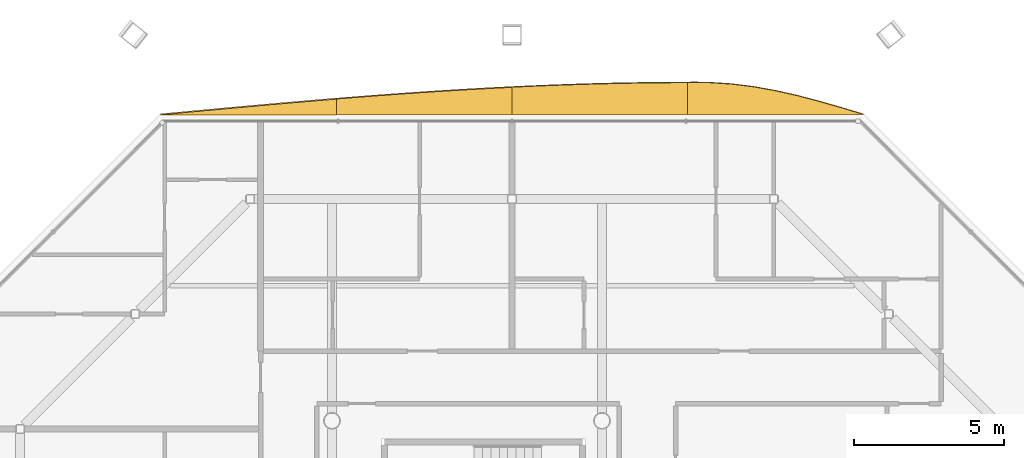
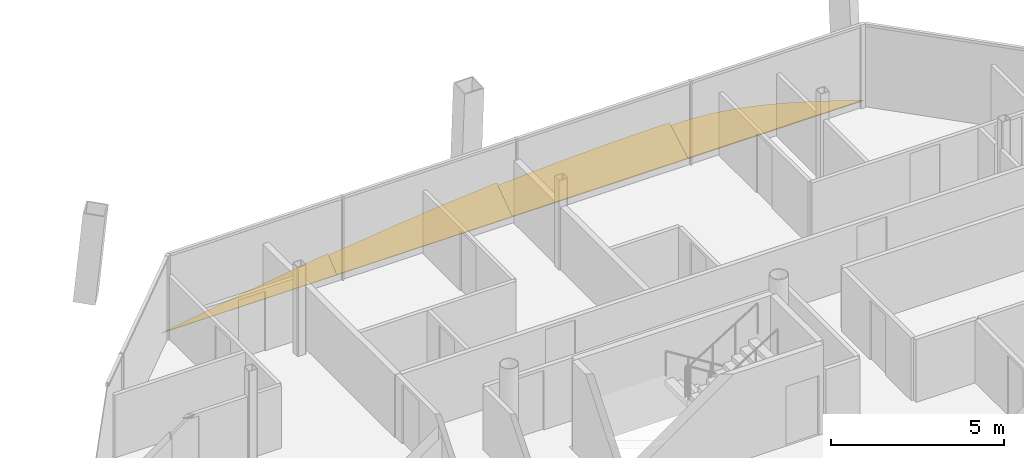
# One storey, part 18 of 18: 4 shading devices.
"""IFC4 building model written with IfcOpenShell, lengths in metres."""

from ifc_helpers import new_model, si_unit, direction, frame, origin, place, context, subcontext, project, spatial, polyline, outline, extrude, material, layer, layer_set, type_object, element, save


model = new_model("IFC4")

# Units and contexts
model_context = context("Model", 3, precision=1e-05, world=origin(), true_north=direction((0.0, 1.0)))
body_context = subcontext(model_context, "Body", "Model", "MODEL_VIEW")
ifc_project = project(units=[si_unit("LENGTHUNIT", "METRE"), si_unit("AREAUNIT", "SQUARE_METRE"), si_unit("VOLUMEUNIT", "CUBIC_METRE"), si_unit("PLANEANGLEUNIT", "RADIAN"), si_unit("MASSUNIT", "GRAM", prefix="KILO")], contexts=[model_context])

# Site, building, storey
site_placement = place(None, origin())
site = spatial("IfcSite", under=ifc_project, at=site_placement, CompositionType="ELEMENT")
building_placement = place(site_placement, origin())
building = spatial("IfcBuilding", under=site, at=building_placement, Name="Tskaro Facet Tower", CompositionType="ELEMENT")
storey_placement = place(building_placement, frame((0.0, 0.0, 220.35009765625)))
storey = spatial("IfcBuildingStorey", under=building, at=storey_placement, Name="L56", CompositionType="ELEMENT", Elevation=220.35009765625)

# Shading devices
ifc_material = material(Name="Bronze anodised aluminium 6063-T6", Category="aluminium")
ifc_layer = layer(ifc_material, 0.06005859375, Name="Bronze anodised aluminium 6063-T6")
ifc_layer_set = layer_set([ifc_layer], Name="Bronze anodised aluminium 6063-T6")
shading_device_type = type_object("IfcShadingDeviceType", Name="Bronze sun blade (FN1)", PredefinedType="USERDEFINED", material=ifc_layer_set)
shading_device_1_placement = place(storey_placement, frame((8.712890625, 19.209716796875, 0.05419921875), z_axis=(-8.614032e-06, -0.42272559541, 0.906257728746), x_axis=(-0.999999999963, 3.641372e-06, -7.806533e-06)))
element("IfcShadingDevice", 1, at=shading_device_1_placement, inside=storey, type_object=shading_device_type, Name="Fin blade north 1", ObjectType="FIN", PredefinedType="USERDEFINED", context=body_context, shape_type="SweptSolid", body=[
    extrude(outline(polyline([(0.0, 0.0), (5.856445312282721, 0.0), (5.856445312657274, -1.1748080606205695), (5.52832031254157, -1.1753537737682707), (5.124267579082849, -1.167492535372139), (4.392333983661828, -1.1145138240066026), (3.660156249467523, -1.013482664951015), (2.92822265672689, -0.8687647633869848), (2.196044921766403, -0.6866874227586115), (1.4641113268406445, -0.47500867697095583), (0.7319335942433782, -0.2426960360617261), (0.0, 0.0)])), origin(), (0.0, 0.0, -1.0), 0.06005859375),
])
shading_device_2_placement = place(storey_placement, frame((2.8564453125, 19.205078125, 0.0517578125), z_axis=(-1.70098e-07, -0.500084322492, 0.865976714697), x_axis=(-1.0, 8.5063e-08, -1.473e-07)))
element("IfcShadingDevice", 2, at=shading_device_2_placement, inside=storey, type_object=shading_device_type, Name="Fin blade north 2", ObjectType="FIN", PredefinedType="USERDEFINED", context=body_context, shape_type="SweptSolid", body=[
    extrude(outline(polyline([(0.0, 0.0), (5.856445312499916, 0.0), (5.856445312516661, -1.0532155492489992), (5.124267578109839, -1.0919473743742123), (4.3923339843913185, -1.1259534780681348), (3.6601562499824505, -1.1553887129315428), (2.928222656261887, -1.18009822636366), (2.1960449218661693, -1.1999033599698548), (1.4641113281379887, -1.2147713520483974), (0.7319335937346542, -1.224734964301018), (1.405143213674352e-11, -1.229427924030578), (0.0, 0.0)])), origin(), (0.0, 0.0, -1.0), 0.06005859375),
])
shading_device_3_placement = place(storey_placement, frame((-3.0, 19.20068359375, 0.049072265625), z_axis=(5.492909e-06, -0.573625800384, 0.819117476986), x_axis=(-0.999999999985, -3.150874e-06, 4.499338e-06)))
element("IfcShadingDevice", 3, at=shading_device_3_placement, inside=storey, type_object=shading_device_type, Name="Fin blade north 3", ObjectType="FIN", PredefinedType="USERDEFINED", context=body_context, shape_type="SweptSolid", body=[
    extrude(outline(polyline([(0.0, 0.0), (5.856445312411649, 0.0), (5.8564453122602576, -0.6393049170778546), (5.124511719212164, -0.7106277226121648), (4.392333984773084, -0.7791703919414621), (3.660400390633052, -0.8443929199987572), (2.928222656311332, -0.9060953269312673), (2.1962890619594444, -0.9641375673775681), (1.464111327865911, -1.0181196816320948), (0.7321777341822524, -1.0679016243334225), (-3.415238222650496e-10, -1.1134833954815517), (0.0, 0.0)])), origin(), (0.0, 0.0, -1.0), 0.06005859375),
])
shading_device_4_placement = place(storey_placement, frame((-8.8564453125, 19.196533203125, 0.0458984375), z_axis=(1.3531441e-05, -0.642908311257, 0.76594314615), x_axis=(-0.999999999908, -8.699476e-06, 1.0364314e-05)))
element("IfcShadingDevice", 4, at=shading_device_4_placement, inside=storey, type_object=shading_device_type, Name="Fin blade north 4", ObjectType="FIN", PredefinedType="USERDEFINED", context=body_context, shape_type="SweptSolid", body=[
    extrude(outline(polyline([(0.0, 0.0), (5.856445311963843, 0.0), (5.1245117182224185, -0.08924500344256676), (4.392333983449562, -0.1781460490097586), (3.6604003906126685, -0.2661721809877681), (2.9282226538075378, -0.3533534371780854), (2.1962890627797074, -0.43894182622698047), (1.4641113290946248, -0.522810425899001), (0.7321777357196874, -0.6044282804803395), (-1.1254107650193363e-09, -0.6836384299340537), (0.0, 0.0)])), origin(), (0.0, 0.0, -1.0), 0.06005859375),
])

save(model, "model.ifc")
